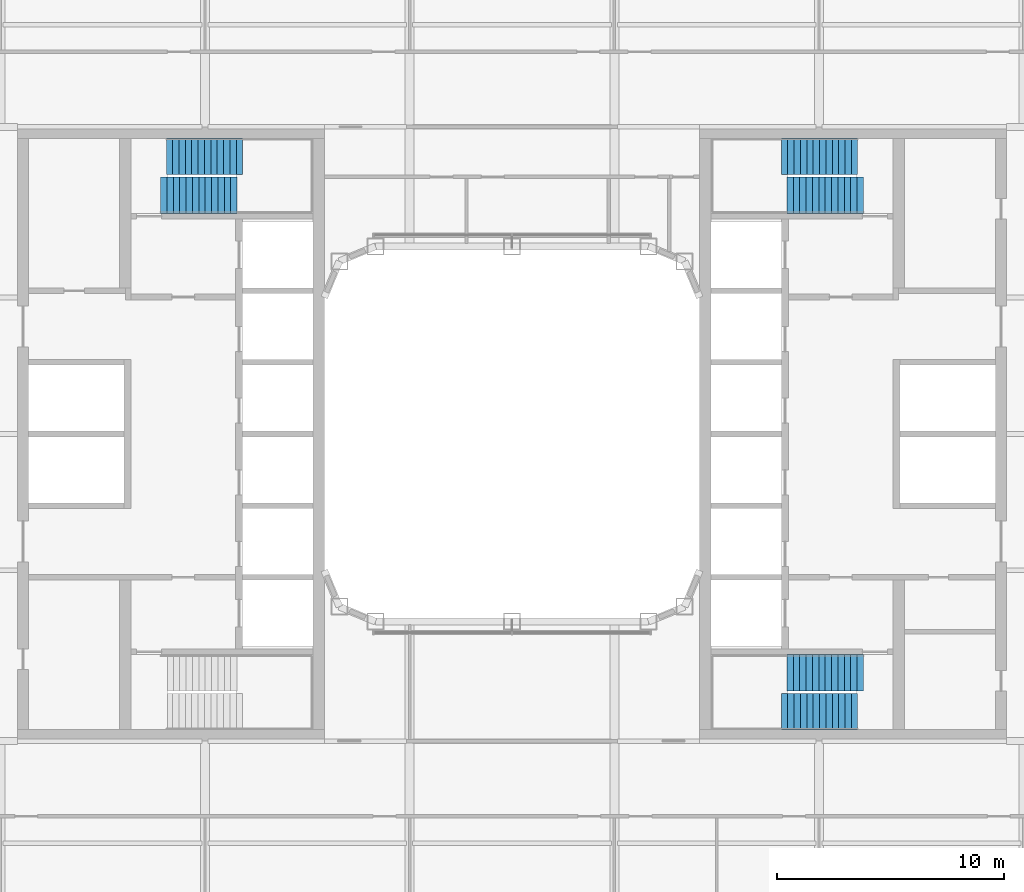
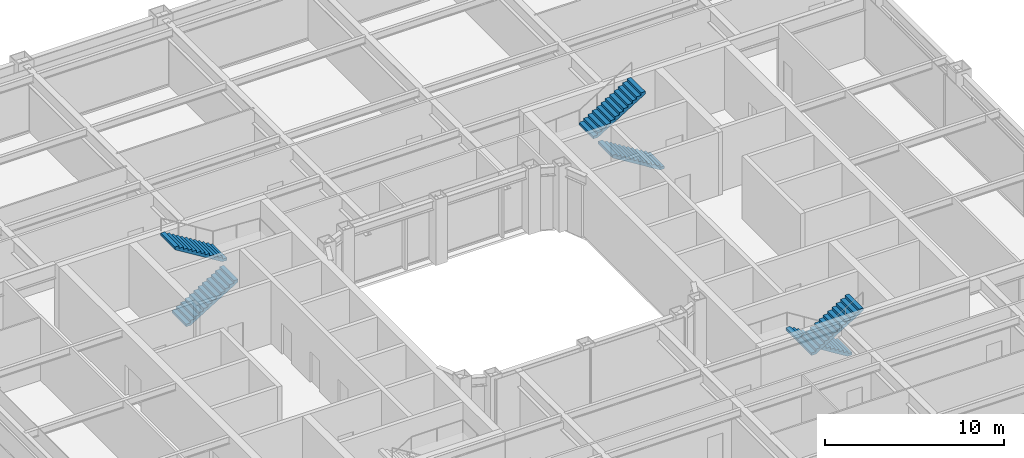
# One storey, part 17 of 27: 6 stair flights, 3 elements without a shape of their own.
"""IFC4 building model written with IfcOpenShell, lengths in metres."""

from ifc_helpers import new_model, si_unit, direction, frame, origin, place, context, subcontext, project, spatial, polyline, outline, extrude, material, type_object, element, aggregate, save


model = new_model("IFC4")

# Units and contexts
model_context = context("Model", 3, precision=1e-05, world=origin(), true_north=direction((0.0, 1.0)))
body_context = subcontext(model_context, "Body", "Model", "MODEL_VIEW")
ifc_project = project(units=[si_unit("LENGTHUNIT", "METRE"), si_unit("AREAUNIT", "SQUARE_METRE"), si_unit("VOLUMEUNIT", "CUBIC_METRE"), si_unit("PLANEANGLEUNIT", "RADIAN"), si_unit("MASSUNIT", "GRAM", prefix="KILO")], contexts=[model_context])

# Site, building, storey
site_placement = place(None, origin())
site = spatial("IfcSite", under=ifc_project, at=site_placement, CompositionType="ELEMENT")
building_placement = place(site_placement, origin())
building = spatial("IfcBuilding", under=site, at=building_placement, Name="Siwar Civic Tower", CompositionType="ELEMENT")
storey_placement = place(building_placement, frame((0.0, 0.0, 89.699951171875)))
storey = spatial("IfcBuildingStorey", under=building, at=storey_placement, Name="L19", CompositionType="ELEMENT", Elevation=89.699951171875)

# Stair, stair flights
ifc_material_1 = material(Name="Concrete C40/50", Category="concrete")
stair_type = type_object("IfcStairType", Name="CORE-STAIR", PredefinedType="TWO_STRAIGHT_RUN_STAIR", material=ifc_material_1)
stair_1_placement = place(storey_placement, origin())
stair_1 = element("IfcStair", 1, at=stair_1_placement, inside=storey, type_object=stair_type, Name="Exit stair ST1", PredefinedType="TWO_STRAIGHT_RUN_STAIR")
ifc_material_2 = material(Name="Concrete C40/50", Category="concrete")
stair_flight_type = type_object("IfcStairFlightType", Name="CORE-STAIR-FLIGHT", PredefinedType="STRAIGHT", material=ifc_material_2)
stair_flight_1_placement = place(storey_placement, frame((-15.449951171875, 10.5, 0.0), z_axis=(0.0, 0.0, 1.0), x_axis=(1.0, 0.0, 0.0)))
stair_flight_1 = element("IfcStairFlight", 2, at=stair_flight_1_placement, type_object=stair_flight_type, Name="ST1 flight 1", NumberOfRisers=13, NumberOfTreads=12, PredefinedType="STRAIGHT", RiserHeight=0.173076923, TreadLength=0.28, context=body_context, shape_type="SweptSolid", body=[
    extrude(outline(polyline([(0.0, 0.0), (0.0, 0.173095703125), (0.280029296875, 0.173095703125), (0.280029296875, 0.34619140625), (0.56005859375, 0.34619140625), (0.56005859375, 0.519287109375), (0.840087890625, 0.519287109375), (0.840087890625, 0.6923828125), (1.1201171875, 0.6923828125), (1.1201171875, 0.865478515625), (1.39990234375, 0.865478515625), (1.39990234375, 1.03857421875), (1.679931640625, 1.03857421875), (1.679931640625, 1.21142578125), (1.9599609375, 1.21142578125), (1.9599609375, 1.384521484375), (2.239990234375, 1.384521484375), (2.239990234375, 1.5576171875), (2.52001953125, 1.5576171875), (2.52001953125, 1.730712890625), (2.800048828125, 1.730712890625), (2.800048828125, 1.90380859375), (3.080078125, 1.90380859375), (3.080078125, 2.076904296875), (3.360107421875, 2.076904296875), (3.360107421875, 2.25), (3.360107421875, 1.900634765625), (0.28515625, 0.0), (0.0, 0.0)])), frame((0.0, 0.800048828125, 0.0), z_axis=(0.0, -1.0, 0.0), x_axis=(1.0, 0.0, 0.0)), (0.0, 0.0, 1.0), 1.60009765625),
])
stair_flight_2_placement = place(storey_placement, frame((-11.840087890625, 12.199951171875, 2.25), z_axis=(0.0, 0.0, 1.0), x_axis=(-1.0, 0.0, 0.0)))
stair_flight_2 = element("IfcStairFlight", 3, at=stair_flight_2_placement, type_object=stair_flight_type, Name="ST1 flight 2", NumberOfRisers=13, NumberOfTreads=12, PredefinedType="STRAIGHT", RiserHeight=0.173076923, TreadLength=0.28, context=body_context, shape_type="SweptSolid", body=[
    extrude(outline(polyline([(0.0, 0.0), (0.0, 0.173095703125), (0.280029296875, 0.173095703125), (0.280029296875, 0.34619140625), (0.56005859375, 0.34619140625), (0.56005859375, 0.519287109375), (0.840087890625, 0.519287109375), (0.840087890625, 0.6923828125), (1.1201171875, 0.6923828125), (1.1201171875, 0.865478515625), (1.39990234375, 0.865478515625), (1.39990234375, 1.03857421875), (1.679931640625, 1.03857421875), (1.679931640625, 1.21142578125), (1.9599609375, 1.21142578125), (1.9599609375, 1.384521484375), (2.239990234375, 1.384521484375), (2.239990234375, 1.5576171875), (2.52001953125, 1.5576171875), (2.52001953125, 1.730712890625), (2.800048828125, 1.730712890625), (2.800048828125, 1.90380859375), (3.080078125, 1.90380859375), (3.080078125, 2.076904296875), (3.360107421875, 2.076904296875), (3.360107421875, 2.25), (3.360107421875, 1.900634765625), (0.28515625, 0.0), (0.0, 0.0)])), frame((0.0, 0.800048828125, 0.0), z_axis=(0.0, -1.0, 0.0), x_axis=(1.0, 0.0, 0.0)), (0.0, 0.0, 1.0), 1.60009765625),
])
aggregate(stair_1, [stair_flight_1, stair_flight_2])

stair_2_placement = place(storey_placement, origin())
stair_2 = element("IfcStair", 4, at=stair_2_placement, inside=storey, type_object=stair_type, Name="Exit stair ST3", PredefinedType="TWO_STRAIGHT_RUN_STAIR")
stair_flight_3_placement = place(storey_placement, frame((15.449951171875, 10.5, 0.0), z_axis=(0.0, 0.0, 1.0), x_axis=(-1.0, 0.0, 0.0)))
stair_flight_3 = element("IfcStairFlight", 5, at=stair_flight_3_placement, type_object=stair_flight_type, Name="ST3 flight 1", NumberOfRisers=13, NumberOfTreads=12, PredefinedType="STRAIGHT", RiserHeight=0.173076923, TreadLength=0.28, context=body_context, shape_type="SweptSolid", body=[
    extrude(outline(polyline([(0.0, 0.0), (0.0, 0.173095703125), (0.280029296875, 0.173095703125), (0.280029296875, 0.34619140625), (0.56005859375, 0.34619140625), (0.56005859375, 0.519287109375), (0.840087890625, 0.519287109375), (0.840087890625, 0.6923828125), (1.1201171875, 0.6923828125), (1.1201171875, 0.865478515625), (1.39990234375, 0.865478515625), (1.39990234375, 1.03857421875), (1.679931640625, 1.03857421875), (1.679931640625, 1.21142578125), (1.9599609375, 1.21142578125), (1.9599609375, 1.384521484375), (2.239990234375, 1.384521484375), (2.239990234375, 1.5576171875), (2.52001953125, 1.5576171875), (2.52001953125, 1.730712890625), (2.800048828125, 1.730712890625), (2.800048828125, 1.90380859375), (3.080078125, 1.90380859375), (3.080078125, 2.076904296875), (3.360107421875, 2.076904296875), (3.360107421875, 2.25), (3.360107421875, 1.900634765625), (0.28515625, 0.0), (0.0, 0.0)])), frame((0.0, 0.800048828125, 0.0), z_axis=(0.0, -1.0, 0.0), x_axis=(1.0, 0.0, 0.0)), (0.0, 0.0, 1.0), 1.60009765625),
])
stair_flight_4_placement = place(storey_placement, frame((11.840087890625, 12.199951171875, 2.25), z_axis=(0.0, 0.0, 1.0), x_axis=(1.0, 0.0, 0.0)))
stair_flight_4 = element("IfcStairFlight", 6, at=stair_flight_4_placement, type_object=stair_flight_type, Name="ST3 flight 2", NumberOfRisers=13, NumberOfTreads=12, PredefinedType="STRAIGHT", RiserHeight=0.173076923, TreadLength=0.28, context=body_context, shape_type="SweptSolid", body=[
    extrude(outline(polyline([(0.0, 0.0), (0.0, 0.173095703125), (0.280029296875, 0.173095703125), (0.280029296875, 0.34619140625), (0.56005859375, 0.34619140625), (0.56005859375, 0.519287109375), (0.840087890625, 0.519287109375), (0.840087890625, 0.6923828125), (1.1201171875, 0.6923828125), (1.1201171875, 0.865478515625), (1.39990234375, 0.865478515625), (1.39990234375, 1.03857421875), (1.679931640625, 1.03857421875), (1.679931640625, 1.21142578125), (1.9599609375, 1.21142578125), (1.9599609375, 1.384521484375), (2.239990234375, 1.384521484375), (2.239990234375, 1.5576171875), (2.52001953125, 1.5576171875), (2.52001953125, 1.730712890625), (2.800048828125, 1.730712890625), (2.800048828125, 1.90380859375), (3.080078125, 1.90380859375), (3.080078125, 2.076904296875), (3.360107421875, 2.076904296875), (3.360107421875, 2.25), (3.360107421875, 1.900634765625), (0.28515625, 0.0), (0.0, 0.0)])), frame((0.0, 0.800048828125, 0.0), z_axis=(0.0, -1.0, 0.0), x_axis=(1.0, 0.0, 0.0)), (0.0, 0.0, 1.0), 1.60009765625),
])
aggregate(stair_2, [stair_flight_3, stair_flight_4])

stair_3_placement = place(storey_placement, origin())
stair_3 = element("IfcStair", 7, at=stair_3_placement, inside=storey, type_object=stair_type, Name="Exit stair ST4", PredefinedType="TWO_STRAIGHT_RUN_STAIR")
stair_flight_5_placement = place(storey_placement, frame((15.449951171875, -10.5, 0.0), z_axis=(0.0, 0.0, 1.0), x_axis=(-1.0, 0.0, 0.0)))
stair_flight_5 = element("IfcStairFlight", 8, at=stair_flight_5_placement, type_object=stair_flight_type, Name="ST4 flight 1", NumberOfRisers=13, NumberOfTreads=12, PredefinedType="STRAIGHT", RiserHeight=0.173076923, TreadLength=0.28, context=body_context, shape_type="SweptSolid", body=[
    extrude(outline(polyline([(0.0, 0.0), (0.0, 0.173095703125), (0.280029296875, 0.173095703125), (0.280029296875, 0.34619140625), (0.56005859375, 0.34619140625), (0.56005859375, 0.519287109375), (0.840087890625, 0.519287109375), (0.840087890625, 0.6923828125), (1.1201171875, 0.6923828125), (1.1201171875, 0.865478515625), (1.39990234375, 0.865478515625), (1.39990234375, 1.03857421875), (1.679931640625, 1.03857421875), (1.679931640625, 1.21142578125), (1.9599609375, 1.21142578125), (1.9599609375, 1.384521484375), (2.239990234375, 1.384521484375), (2.239990234375, 1.5576171875), (2.52001953125, 1.5576171875), (2.52001953125, 1.730712890625), (2.800048828125, 1.730712890625), (2.800048828125, 1.90380859375), (3.080078125, 1.90380859375), (3.080078125, 2.076904296875), (3.360107421875, 2.076904296875), (3.360107421875, 2.25), (3.360107421875, 1.900634765625), (0.28515625, 0.0), (0.0, 0.0)])), frame((0.0, 0.800048828125, 0.0), z_axis=(0.0, -1.0, 0.0), x_axis=(1.0, 0.0, 0.0)), (0.0, 0.0, 1.0), 1.60009765625),
])
stair_flight_6_placement = place(storey_placement, frame((11.840087890625, -12.199951171875, 2.25), z_axis=(0.0, 0.0, 1.0), x_axis=(1.0, 0.0, 0.0)))
stair_flight_6 = element("IfcStairFlight", 9, at=stair_flight_6_placement, type_object=stair_flight_type, Name="ST4 flight 2", NumberOfRisers=13, NumberOfTreads=12, PredefinedType="STRAIGHT", RiserHeight=0.173076923, TreadLength=0.28, context=body_context, shape_type="SweptSolid", body=[
    extrude(outline(polyline([(0.0, 0.0), (0.0, 0.173095703125), (0.280029296875, 0.173095703125), (0.280029296875, 0.34619140625), (0.56005859375, 0.34619140625), (0.56005859375, 0.519287109375), (0.840087890625, 0.519287109375), (0.840087890625, 0.6923828125), (1.1201171875, 0.6923828125), (1.1201171875, 0.865478515625), (1.39990234375, 0.865478515625), (1.39990234375, 1.03857421875), (1.679931640625, 1.03857421875), (1.679931640625, 1.21142578125), (1.9599609375, 1.21142578125), (1.9599609375, 1.384521484375), (2.239990234375, 1.384521484375), (2.239990234375, 1.5576171875), (2.52001953125, 1.5576171875), (2.52001953125, 1.730712890625), (2.800048828125, 1.730712890625), (2.800048828125, 1.90380859375), (3.080078125, 1.90380859375), (3.080078125, 2.076904296875), (3.360107421875, 2.076904296875), (3.360107421875, 2.25), (3.360107421875, 1.900634765625), (0.28515625, 0.0), (0.0, 0.0)])), frame((0.0, 0.800048828125, 0.0), z_axis=(0.0, -1.0, 0.0), x_axis=(1.0, 0.0, 0.0)), (0.0, 0.0, 1.0), 1.60009765625),
])
aggregate(stair_3, [stair_flight_5, stair_flight_6])

save(model, "model.ifc")
